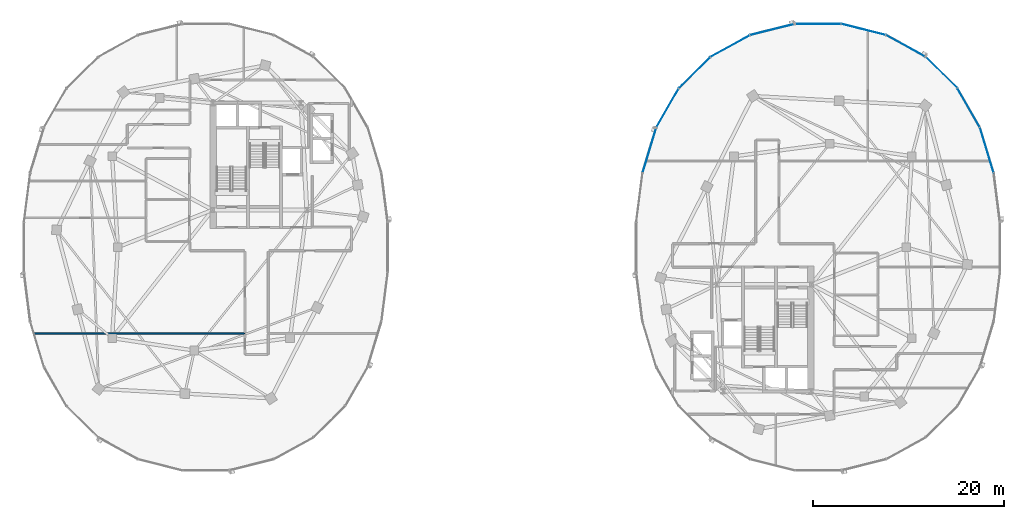
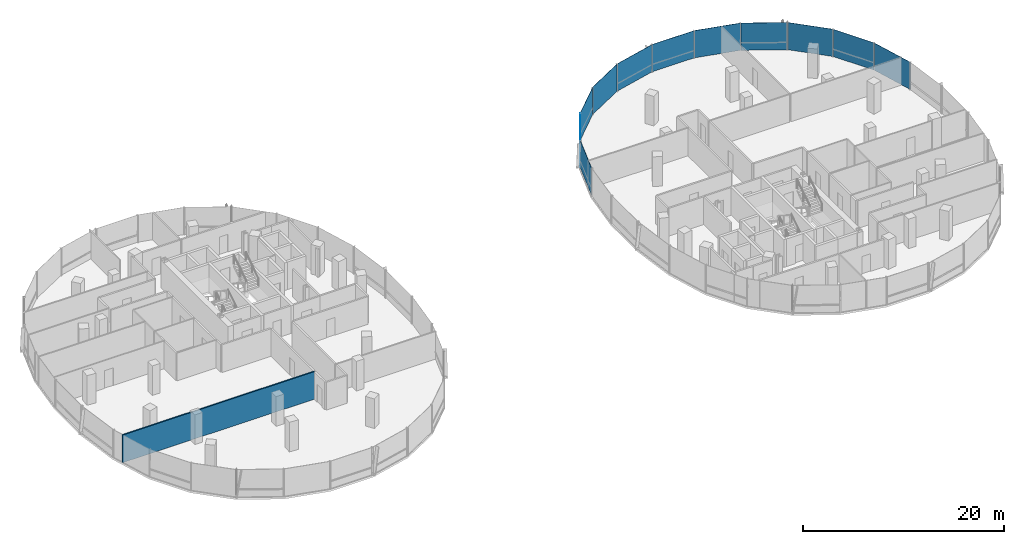
# One storey, part 11 of 22: 11 plates, 1 wall, 2 elements without a shape of their own.
"""IFC4 building model written with IfcOpenShell, lengths in metres."""

from ifc_helpers import new_model, si_unit, direction, frame, frame_2d, origin, origin_2d, place, context, subcontext, project, spatial, rectangle, extrude, material, layer, layer_set, type_object, element, aggregate, save


model = new_model("IFC4")

# Units and contexts
model_context = context("Model", 3, precision=1e-05, world=origin(), true_north=direction((0.0, 1.0)))
body_context = subcontext(model_context, "Body", "Model", "MODEL_VIEW")
ifc_project = project(units=[si_unit("LENGTHUNIT", "METRE"), si_unit("AREAUNIT", "SQUARE_METRE"), si_unit("VOLUMEUNIT", "CUBIC_METRE"), si_unit("PLANEANGLEUNIT", "RADIAN"), si_unit("MASSUNIT", "GRAM", prefix="KILO"), si_unit("THERMODYNAMICTEMPERATUREUNIT", "KELVIN"), si_unit("POWERUNIT", "WATT")], contexts=[model_context])

# Site, building, storey
site_placement = place(None, origin())
site = spatial("IfcSite", under=ifc_project, at=site_placement, CompositionType="ELEMENT")
building_placement = place(site_placement, origin())
building = spatial("IfcBuilding", under=site, at=building_placement, Name="Cundina Bronze Exchange", CompositionType="ELEMENT")
storey_placement = place(building_placement, frame((0.0, 0.0, 151.199951171875)))
storey = spatial("IfcBuildingStorey", under=building, at=storey_placement, Name="L39", CompositionType="ELEMENT", Elevation=151.199951171875)

# Curtain wall, plates
ifc_material_1 = material(Name="Anodised Bronze Aluminium 6063-T6", Category="aluminium")
curtain_wall_type = type_object("IfcCurtainWallType", Name="CWS-WST-PIN", PredefinedType="NOTDEFINED", material=ifc_material_1)
curtain_wall_1_placement = place(storey_placement, origin())
curtain_wall_1 = element("IfcCurtainWall", 1, at=curtain_wall_1_placement, inside=storey, type_object=curtain_wall_type, Name="L39 CW-04 Curtain Wall Run CWR-L39-E1", PredefinedType="NOTDEFINED")
ifc_material_2 = material(Name="Heat-Strengthened Solar-Control Bronze Safety Glass 28mm", Category="glass")
ifc_layer_1 = layer(ifc_material_2, 0.028076171875, Name="Heat-Strengthened Solar-Control Bronze Safety Glass 28mm", Category="glass")
ifc_layer_set_1 = layer_set([ifc_layer_1], Name="Heat-Strengthened Solar-Control Bronze Safety Glass 28mm")
plate_type_1 = type_object("IfcPlateType", Name="PLT-GLZ-VIS28", PredefinedType="CURTAIN_PANEL", material=ifc_layer_set_1)
plate_1_placement = place(storey_placement, frame((49.63330078125, 10.14208984375, 0.02001953125), z_axis=(0.0, 0.0, 1.0), x_axis=(-0.290050843957, 0.957011237092, 0.0)))
plate_1 = element("IfcPlate", 2, at=plate_1_placement, type_object=plate_type_1, Name="CW-04 Glazed Panel 2", PredefinedType="CURTAIN_PANEL", context=body_context, shape_type="SweptSolid", body=[
    extrude(rectangle(XDim=4.885009765625, YDim=0.028076171875, at=origin_2d()), origin(), (0.0, 0.0, 1.0), 3.320068359375),
])
plate_2_placement = place(storey_placement, frame((47.734375, 14.564697265625, 0.02001953125), z_axis=(0.0, 0.0, 1.0), x_axis=(-0.498487739754, 0.866896748936, 0.0)))
plate_2 = element("IfcPlate", 3, at=plate_2_placement, type_object=plate_type_1, Name="CW-04 Glazed Panel 3", PredefinedType="CURTAIN_PANEL", context=body_context, shape_type="SweptSolid", body=[
    extrude(rectangle(XDim=4.676513671875, YDim=0.028076171875, at=origin_2d()), origin(), (0.0, 0.0, 1.0), 3.320068359375),
])
plate_3_placement = place(storey_placement, frame((44.894775390625, 18.253662109375, 0.02001953125), z_axis=(0.0, 0.0, 1.0), x_axis=(-0.711989280367, 0.702190333629, 0.0)))
plate_3 = element("IfcPlate", 4, at=plate_3_placement, type_object=plate_type_1, Name="CW-04 Glazed Panel 4", PredefinedType="CURTAIN_PANEL", context=body_context, shape_type="SweptSolid", body=[
    extrude(rectangle(XDim=4.6025390625, YDim=0.028076171875, at=origin_2d()), origin(), (0.0, 0.0, 1.0), 3.320068359375),
])
plate_4_placement = place(storey_placement, frame((41.16845703125, 21.02880859375, 0.02001953125), z_axis=(0.0, 0.0, 1.0), x_axis=(-0.875869093438, 0.482548786301, 0.0)))
plate_4 = element("IfcPlate", 5, at=plate_4_placement, type_object=plate_type_1, Name="CW-04 Glazed Panel 5", PredefinedType="CURTAIN_PANEL", context=body_context, shape_type="SweptSolid", body=[
    extrude(rectangle(XDim=4.661865234375, YDim=0.028076171875, at=origin_2d()), origin(), (0.0, 0.0, 1.0), 3.320068359375),
])
plate_5_placement = place(storey_placement, frame((32.0, 23.3369140625, 0.02001953125), z_axis=(0.0, 0.0, 1.0), x_axis=(-1.0, 0.0, 0.0)))
plate_5 = element("IfcPlate", 6, at=plate_5_placement, type_object=plate_type_1, Name="CW-04 Glazed Panel 7", PredefinedType="CURTAIN_PANEL", context=body_context, shape_type="SweptSolid", body=[
    extrude(rectangle(XDim=4.7958984375, YDim=0.028076171875, at=origin_2d()), origin(), (0.0, 0.0, 1.0), 3.320068359375),
])

curtain_wall_2_placement = place(storey_placement, origin())
curtain_wall_2 = element("IfcCurtainWall", 7, at=curtain_wall_2_placement, inside=storey, type_object=curtain_wall_type, Name="L39 CW-04 Curtain Wall Run CWR-L39-E2", PredefinedType="NOTDEFINED")
plate_6_placement = place(storey_placement, frame((27.23486328125, 22.75244140625, 0.02001953125), z_axis=(0.0, 0.0, 1.0), x_axis=(-0.970092713791, -0.242734683656, 0.0)))
plate_6 = element("IfcPlate", 8, at=plate_6_placement, type_object=plate_type_1, Name="CW-04 Glazed Panel 1", PredefinedType="CURTAIN_PANEL", context=body_context, shape_type="SweptSolid", body=[
    extrude(rectangle(XDim=4.7548828125, YDim=0.028076171875, at=origin_2d()), origin(), (0.0, 0.0, 1.0), 3.320068359375),
])
plate_7_placement = place(storey_placement, frame((22.83154296875, 21.02880859375, 0.02001953125), z_axis=(0.0, 0.0, 1.0), x_axis=(-0.875869093438, -0.482548786301, 0.0)))
plate_7 = element("IfcPlate", 9, at=plate_7_placement, type_object=plate_type_1, Name="CW-04 Glazed Panel 2", PredefinedType="CURTAIN_PANEL", context=body_context, shape_type="SweptSolid", body=[
    extrude(rectangle(XDim=4.661865234375, YDim=0.028076171875, at=origin_2d()), origin(), (0.0, 0.0, 1.0), 3.320068359375),
])
plate_8_placement = place(storey_placement, frame((19.105224609375, 18.253662109375, 0.02001953125), z_axis=(0.0, 0.0, 1.0), x_axis=(-0.711989280367, -0.702190333629, 0.0)))
plate_8 = element("IfcPlate", 10, at=plate_8_placement, type_object=plate_type_1, Name="CW-04 Glazed Panel 3", PredefinedType="CURTAIN_PANEL", context=body_context, shape_type="SweptSolid", body=[
    extrude(rectangle(XDim=4.6025390625, YDim=0.028076171875, at=origin_2d()), origin(), (0.0, 0.0, 1.0), 3.320068359375),
])
plate_9_placement = place(storey_placement, frame((16.265625, 14.564697265625, 0.02001953125), z_axis=(0.0, 0.0, 1.0), x_axis=(-0.498487739754, -0.866896748936, 0.0)))
plate_9 = element("IfcPlate", 11, at=plate_9_placement, type_object=plate_type_1, Name="CW-04 Glazed Panel 4", PredefinedType="CURTAIN_PANEL", context=body_context, shape_type="SweptSolid", body=[
    extrude(rectangle(XDim=4.676513671875, YDim=0.028076171875, at=origin_2d()), origin(), (0.0, 0.0, 1.0), 3.320068359375),
])

# Plate
ifc_material_3 = material(Name="Dark Bronze Spandrel Glass Panel 32mm", Category="glass")
ifc_layer_2 = layer(ifc_material_3, 0.031982421875, Name="Dark Bronze Spandrel Glass Panel 32mm", Category="glass")
ifc_layer_set_2 = layer_set([ifc_layer_2], Name="Dark Bronze Spandrel Glass Panel 32mm")
plate_type_2 = type_object("IfcPlateType", Name="PLT-SPN-BRZ32", PredefinedType="CURTAIN_PANEL", material=ifc_layer_set_2)
plate_10_placement = place(storey_placement, frame((36.76513671875, 22.75244140625, 0.02001953125), z_axis=(0.0, 0.0, 1.0), x_axis=(-0.970092713791, 0.242734683656, 0.0)))
plate_10 = element("IfcPlate", 12, at=plate_10_placement, type_object=plate_type_2, Name="CW-04 Glazed Panel 6", PredefinedType="CURTAIN_PANEL", context=body_context, shape_type="SweptSolid", body=[
    extrude(rectangle(XDim=4.7548828125, YDim=0.031982421875, at=origin_2d()), origin(), (0.0, 0.0, 1.0), 3.320068359375),
])

aggregate(curtain_wall_1, [plate_1, plate_2, plate_3, plate_4, plate_10, plate_5])

plate_11_placement = place(storey_placement, frame((14.36669921875, 10.14208984375, 0.02001953125), z_axis=(0.0, 0.0, 1.0), x_axis=(-0.290050843957, -0.957011237092, 0.0)))
plate_11 = element("IfcPlate", 13, at=plate_11_placement, type_object=plate_type_2, Name="CW-04 Glazed Panel 5", PredefinedType="CURTAIN_PANEL", context=body_context, shape_type="SweptSolid", body=[
    extrude(rectangle(XDim=4.885009765625, YDim=0.031982421875, at=origin_2d()), origin(), (0.0, 0.0, 1.0), 3.320068359375),
])

aggregate(curtain_wall_2, [plate_6, plate_7, plate_8, plate_9, plate_11])

# Wall
ifc_material_4 = material(Name="Gypsum Acoustic Partition EI60")
ifc_layer_3 = layer(ifc_material_4, 0.14990234375, Name="Gypsum Acoustic Partition EI60")
ifc_layer_set_3 = layer_set([ifc_layer_3], Name="Gypsum Acoustic Partition EI60")
wall_type = type_object("IfcWallType", Name="WL-TEN-150", PredefinedType="PARTITIONING", material=ifc_layer_set_3)
wall_placement = place(storey_placement, frame((-50.04541015625, -9.010009765625, 0.0), z_axis=(0.0, 0.0, 1.0), x_axis=(1.0, 0.0, 0.0)))
element("IfcWall", 14, at=wall_placement, inside=storey, type_object=wall_type, Name="L39 Interior Partition 016", PredefinedType="PARTITIONING", context=body_context, shape_type="SweptSolid", body=[
    extrude(rectangle(XDim=22.095458984375, YDim=0.14990234375, at=frame_2d((11.0478515625, 0.0))), origin(), (0.0, 0.0, 1.0), 3.360107421875),
])

save(model, "model.ifc")
